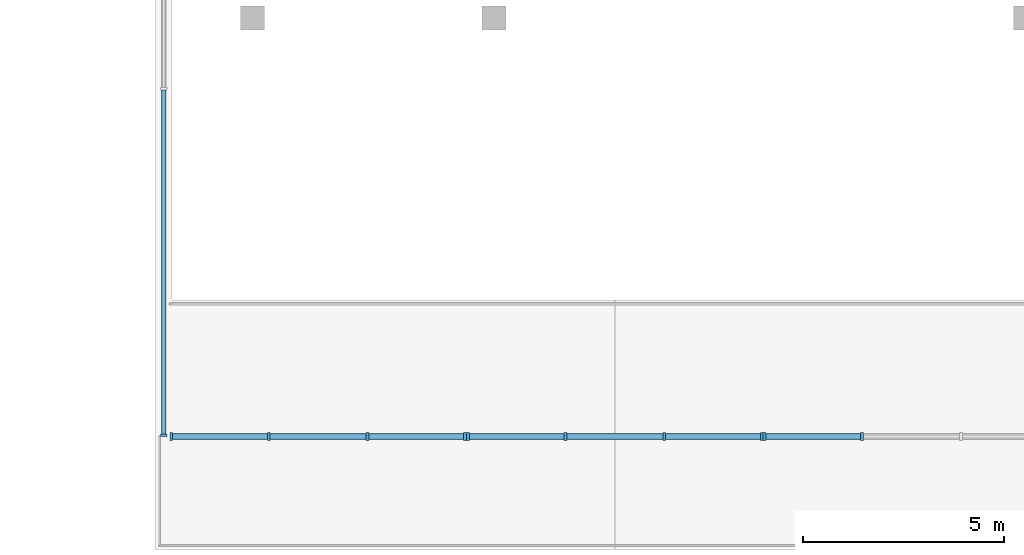
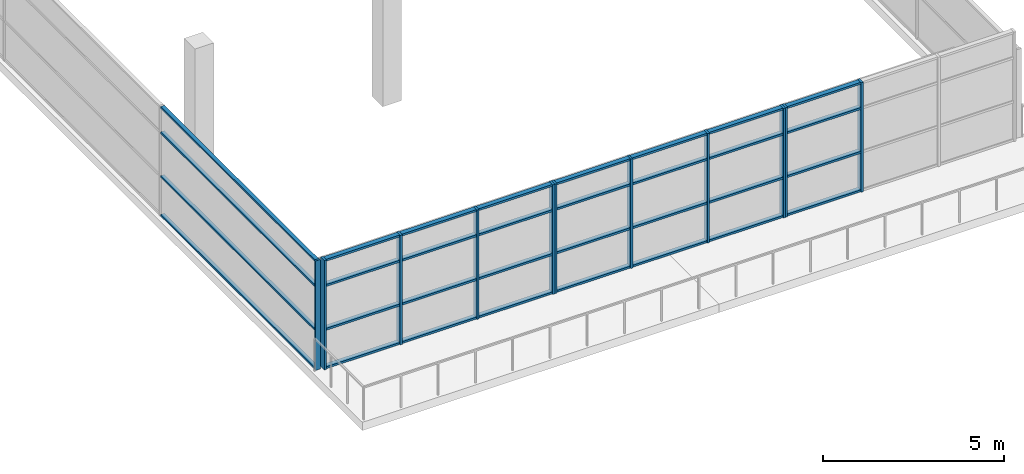
# One storey, part 14 of 87: 43 members, 4 elements without a shape of their own.
"""IFC4 building model written with IfcOpenShell, lengths in metres."""

from ifc_helpers import new_model, si_unit, direction, frame, origin, origin_2d, place, context, subcontext, project, spatial, rectangle, extrude, material, material_profile, profile_set, type_object, element, aggregate, save


model = new_model("IFC4")

# Units and contexts
model_context = context("Model", 3, precision=1e-05, world=origin(), true_north=direction((0.0, 1.0)))
body_context = subcontext(model_context, "Body", "Model", "MODEL_VIEW")
ifc_project = project(units=[si_unit("LENGTHUNIT", "METRE"), si_unit("AREAUNIT", "SQUARE_METRE"), si_unit("VOLUMEUNIT", "CUBIC_METRE"), si_unit("PLANEANGLEUNIT", "RADIAN"), si_unit("MASSUNIT", "GRAM", prefix="KILO")], contexts=[model_context])

# Site, building, storey
site_placement = place(None, origin())
site = spatial("IfcSite", under=ifc_project, at=site_placement, CompositionType="ELEMENT")
building_placement = place(site_placement, origin())
building = spatial("IfcBuilding", under=site, at=building_placement, Name="Saryqyr Civic Hall", CompositionType="ELEMENT")
storey_placement = place(building_placement, frame((0.0, 0.0, 5.10009765625)))
storey = spatial("IfcBuildingStorey", under=building, at=storey_placement, Name="L01", CompositionType="ELEMENT", Elevation=5.10009765625)

# Curtain wall, member
ifc_material_1 = material(Name="Anodised aluminium and triple low-E glass", Category="aluminium")
curtain_wall_type_1 = type_object("IfcCurtainWallType", Name="ENV-CW-STD-70", PredefinedType="NOTDEFINED", material=ifc_material_1)
curtain_wall_1_placement = place(storey_placement, origin())
curtain_wall_1 = element("IfcCurtainWall", 1, at=curtain_wall_1_placement, inside=storey, type_object=curtain_wall_type_1, Name="Curtain wall V2-VESTFLK-SW-L01", PredefinedType="NOTDEFINED")
ifc_material_2 = material(Name="Anodised aluminium", Category="aluminium")
ifc_material_profile_1 = material_profile(ifc_material_2, rectangle(XDim=0.06005859375, YDim=0.159912109375, at=origin_2d()), Name="ALU MULLION 60x160")
ifc_profile_set_1 = profile_set([ifc_material_profile_1], Name="Anodised aluminium")
member_type_1 = type_object("IfcMemberType", Name="ENV-CW-MUL-180", PredefinedType="MULLION", material=ifc_profile_set_1)
member_1_placement = place(storey_placement, frame((45.800048828125, 25.639892578125, 0.0), z_axis=(0.0, 0.0, 1.0), x_axis=(0.0, 1.0, 0.0)))
member_1 = element("IfcMember", 2, at=member_1_placement, type_object=member_type_1, Name="CW-70 mullion 1", PredefinedType="MULLION", context=body_context, shape_type="SweptSolid", body=[
    extrude(rectangle(XDim=0.06005859375, YDim=0.159912109375, at=origin_2d()), origin(), (0.0, 0.0, 1.0), 3.699951171875),
])

# Curtain wall, members
curtain_wall_type_2 = type_object("IfcCurtainWallType", Name="ENV-CW-HVY-69", PredefinedType="NOTDEFINED", material=ifc_material_1)
curtain_wall_2_placement = place(storey_placement, origin())
curtain_wall_2 = element("IfcCurtainWall", 3, at=curtain_wall_2_placement, inside=storey, type_object=curtain_wall_type_2, Name="Curtain wall V2-PORTAL-CW-S-L01-0", PredefinedType="NOTDEFINED")
ifc_material_profile_2 = material_profile(ifc_material_2, rectangle(XDim=0.070068359375, YDim=0.199951171875, at=origin_2d()), Name="ALU MULLION 70x200")
ifc_profile_set_2 = profile_set([ifc_material_profile_2], Name="Anodised aluminium")
member_type_2 = type_object("IfcMemberType", Name="ENV-CW-MUL-220", PredefinedType="MULLION", material=ifc_profile_set_2)
member_2_placement = place(storey_placement, frame((53.28173828125, 25.610107421875, 0.0), z_axis=(0.0, 0.0, 1.0), x_axis=(-1.0, 0.0, 0.0)))
member_2 = element("IfcMember", 4, at=member_2_placement, type_object=member_type_2, Name="CW-69 mullion 1", PredefinedType="MULLION", context=body_context, shape_type="SweptSolid", body=[
    extrude(rectangle(XDim=0.070068359375, YDim=0.199951171875, at=origin_2d()), origin(), (0.0, 0.0, 1.0), 3.699951171875),
])
member_3_placement = place(storey_placement, frame((50.861083984375, 25.610107421875, 0.0), z_axis=(0.0, 0.0, 1.0), x_axis=(-1.0, 0.0, 0.0)))
member_3 = element("IfcMember", 5, at=member_3_placement, type_object=member_type_2, Name="CW-69 mullion 2", PredefinedType="MULLION", context=body_context, shape_type="SweptSolid", body=[
    extrude(rectangle(XDim=0.070068359375, YDim=0.199951171875, at=origin_2d()), origin(), (0.0, 0.0, 1.0), 3.699951171875),
])
member_4_placement = place(storey_placement, frame((48.405517578125, 25.610107421875, 0.0), z_axis=(0.0, 0.0, 1.0), x_axis=(-1.0, 0.0, 0.0)))
member_4 = element("IfcMember", 6, at=member_4_placement, type_object=member_type_2, Name="CW-69 mullion 3", PredefinedType="MULLION", context=body_context, shape_type="SweptSolid", body=[
    extrude(rectangle(XDim=0.070068359375, YDim=0.199951171875, at=origin_2d()), origin(), (0.0, 0.0, 1.0), 3.699951171875),
])
member_5_placement = place(storey_placement, frame((45.985107421875, 25.610107421875, 0.0), z_axis=(0.0, 0.0, 1.0), x_axis=(-1.0, 0.0, 0.0)))
member_5 = element("IfcMember", 7, at=member_5_placement, type_object=member_type_2, Name="CW-69 mullion 4", PredefinedType="MULLION", context=body_context, shape_type="SweptSolid", body=[
    extrude(rectangle(XDim=0.070068359375, YDim=0.199951171875, at=origin_2d()), origin(), (0.0, 0.0, 1.0), 3.699951171875),
])

curtain_wall_3_placement = place(storey_placement, origin())
curtain_wall_3 = element("IfcCurtainWall", 8, at=curtain_wall_3_placement, inside=storey, type_object=curtain_wall_type_2, Name="Curtain wall V2-PORTAL-CW-S-L01-1", PredefinedType="NOTDEFINED")
member_6_placement = place(storey_placement, frame((60.648193359375, 25.610107421875, 0.0), z_axis=(0.0, 0.0, 1.0), x_axis=(-1.0, 0.0, 0.0)))
member_6 = element("IfcMember", 9, at=member_6_placement, type_object=member_type_2, Name="CW-69 mullion 1", PredefinedType="MULLION", context=body_context, shape_type="SweptSolid", body=[
    extrude(rectangle(XDim=0.070068359375, YDim=0.199951171875, at=origin_2d()), origin(), (0.0, 0.0, 1.0), 3.699951171875),
])
member_7_placement = place(storey_placement, frame((58.227783203125, 25.610107421875, 0.0), z_axis=(0.0, 0.0, 1.0), x_axis=(-1.0, 0.0, 0.0)))
member_7 = element("IfcMember", 10, at=member_7_placement, type_object=member_type_2, Name="CW-69 mullion 2", PredefinedType="MULLION", context=body_context, shape_type="SweptSolid", body=[
    extrude(rectangle(XDim=0.070068359375, YDim=0.199951171875, at=origin_2d()), origin(), (0.0, 0.0, 1.0), 3.699951171875),
])
member_8_placement = place(storey_placement, frame((55.772216796875, 25.610107421875, 0.0), z_axis=(0.0, 0.0, 1.0), x_axis=(-1.0, 0.0, 0.0)))
member_8 = element("IfcMember", 11, at=member_8_placement, type_object=member_type_2, Name="CW-69 mullion 3", PredefinedType="MULLION", context=body_context, shape_type="SweptSolid", body=[
    extrude(rectangle(XDim=0.070068359375, YDim=0.199951171875, at=origin_2d()), origin(), (0.0, 0.0, 1.0), 3.699951171875),
])
member_9_placement = place(storey_placement, frame((53.351806640625, 25.610107421875, 0.0), z_axis=(0.0, 0.0, 1.0), x_axis=(-1.0, 0.0, 0.0)))
member_9 = element("IfcMember", 12, at=member_9_placement, type_object=member_type_2, Name="CW-69 mullion 4", PredefinedType="MULLION", context=body_context, shape_type="SweptSolid", body=[
    extrude(rectangle(XDim=0.070068359375, YDim=0.199951171875, at=origin_2d()), origin(), (0.0, 0.0, 1.0), 3.699951171875),
])

curtain_wall_4_placement = place(storey_placement, origin())
curtain_wall_4 = element("IfcCurtainWall", 13, at=curtain_wall_4_placement, inside=storey, type_object=curtain_wall_type_2, Name="Curtain wall V2-PORTAL-CW-S-L01-2", PredefinedType="NOTDEFINED")
member_10_placement = place(storey_placement, frame((63.138916015625, 25.610107421875, 0.0), z_axis=(0.0, 0.0, 1.0), x_axis=(-1.0, 0.0, 0.0)))
member_10 = element("IfcMember", 14, at=member_10_placement, type_object=member_type_2, Name="CW-69 mullion 3", PredefinedType="MULLION", context=body_context, shape_type="SweptSolid", body=[
    extrude(rectangle(XDim=0.070068359375, YDim=0.199951171875, at=origin_2d()), origin(), (0.0, 0.0, 1.0), 3.699951171875),
])
member_11_placement = place(storey_placement, frame((60.71826171875, 25.610107421875, 0.0), z_axis=(0.0, 0.0, 1.0), x_axis=(-1.0, 0.0, 0.0)))
member_11 = element("IfcMember", 15, at=member_11_placement, type_object=member_type_2, Name="CW-69 mullion 4", PredefinedType="MULLION", context=body_context, shape_type="SweptSolid", body=[
    extrude(rectangle(XDim=0.070068359375, YDim=0.199951171875, at=origin_2d()), origin(), (0.0, 0.0, 1.0), 3.699951171875),
])

# Member
ifc_material_profile_3 = material_profile(ifc_material_2, rectangle(XDim=0.1201171875, YDim=0.06005859375, at=origin_2d()), Name="ALU TRANSOM 120x60")
ifc_profile_set_3 = profile_set([ifc_material_profile_3], Name="Anodised aluminium")
member_type_3 = type_object("IfcMemberType", Name="ENV-CW-TRN-150", PredefinedType="USERDEFINED", material=ifc_profile_set_3)
member_12_placement = place(storey_placement, frame((45.800048828125, 25.669921875, 0.02978515625), z_axis=(0.0, 1.0, 0.0), x_axis=(-1.0, 0.0, 0.0)))
member_12 = element("IfcMember", 16, at=member_12_placement, type_object=member_type_3, Name="CW-70 transom 1.1", ObjectType="TRANSOM", PredefinedType="USERDEFINED", context=body_context, shape_type="SweptSolid", body=[
    extrude(rectangle(XDim=0.1201171875, YDim=0.06005859375, at=origin_2d()), origin(), (0.0, 0.0, 1.0), 8.5400390625),
])

member_13_placement = place(storey_placement, frame((45.800048828125, 25.669921875, 1.331787109375), z_axis=(0.0, 1.0, 0.0), x_axis=(-1.0, 0.0, 0.0)))
member_13 = element("IfcMember", 17, at=member_13_placement, type_object=member_type_3, Name="CW-70 transom 1.2", ObjectType="TRANSOM", PredefinedType="USERDEFINED", context=body_context, shape_type="SweptSolid", body=[
    extrude(rectangle(XDim=0.1201171875, YDim=0.06005859375, at=origin_2d()), origin(), (0.0, 0.0, 1.0), 8.5400390625),
])

member_14_placement = place(storey_placement, frame((45.800048828125, 25.669921875, 2.81201171875), z_axis=(0.0, 1.0, 0.0), x_axis=(-1.0, 0.0, 0.0)))
member_14 = element("IfcMember", 18, at=member_14_placement, type_object=member_type_3, Name="CW-70 transom 1.3", ObjectType="TRANSOM", PredefinedType="USERDEFINED", context=body_context, shape_type="SweptSolid", body=[
    extrude(rectangle(XDim=0.1201171875, YDim=0.06005859375, at=origin_2d()), origin(), (0.0, 0.0, 1.0), 8.5400390625),
])

member_15_placement = place(storey_placement, frame((45.800048828125, 25.669921875, 3.669921875), z_axis=(0.0, 1.0, 0.0), x_axis=(-1.0, 0.0, 0.0)))
member_15 = element("IfcMember", 19, at=member_15_placement, type_object=member_type_3, Name="CW-70 transom 1.4", ObjectType="TRANSOM", PredefinedType="USERDEFINED", context=body_context, shape_type="SweptSolid", body=[
    extrude(rectangle(XDim=0.1201171875, YDim=0.06005859375, at=origin_2d()), origin(), (0.0, 0.0, 1.0), 8.5400390625),
])

aggregate(curtain_wall_1, [member_1, member_12, member_13, member_14, member_15])

ifc_material_profile_4 = material_profile(ifc_material_2, rectangle(XDim=0.14990234375, YDim=0.070068359375, at=origin_2d()), Name="ALU TRANSOM 150x70")
ifc_profile_set_4 = profile_set([ifc_material_profile_4], Name="Anodised aluminium")
member_type_4 = type_object("IfcMemberType", Name="ENV-CW-TRN-180", PredefinedType="USERDEFINED", material=ifc_profile_set_4)
member_16_placement = place(storey_placement, frame((53.24658203125, 25.610107421875, 0.034912109375), z_axis=(-1.0, 0.0, 0.0), x_axis=(0.0, -1.0, 0.0)))
member_16 = element("IfcMember", 20, at=member_16_placement, type_object=member_type_4, Name="CW-69 transom 1.1", ObjectType="TRANSOM", PredefinedType="USERDEFINED", context=body_context, shape_type="SweptSolid", body=[
    extrude(rectangle(XDim=0.14990234375, YDim=0.070068359375, at=origin_2d()), origin(), (0.0, 0.0, 1.0), 2.350341796875),
])

member_17_placement = place(storey_placement, frame((53.24658203125, 25.610107421875, 1.331787109375), z_axis=(-1.0, 0.0, 0.0), x_axis=(0.0, -1.0, 0.0)))
member_17 = element("IfcMember", 21, at=member_17_placement, type_object=member_type_4, Name="CW-69 transom 1.2", ObjectType="TRANSOM", PredefinedType="USERDEFINED", context=body_context, shape_type="SweptSolid", body=[
    extrude(rectangle(XDim=0.14990234375, YDim=0.070068359375, at=origin_2d()), origin(), (0.0, 0.0, 1.0), 2.350341796875),
])

member_18_placement = place(storey_placement, frame((53.24658203125, 25.610107421875, 2.81201171875), z_axis=(-1.0, 0.0, 0.0), x_axis=(0.0, -1.0, 0.0)))
member_18 = element("IfcMember", 22, at=member_18_placement, type_object=member_type_4, Name="CW-69 transom 1.3", ObjectType="TRANSOM", PredefinedType="USERDEFINED", context=body_context, shape_type="SweptSolid", body=[
    extrude(rectangle(XDim=0.14990234375, YDim=0.070068359375, at=origin_2d()), origin(), (0.0, 0.0, 1.0), 2.350341796875),
])

member_19_placement = place(storey_placement, frame((53.24658203125, 25.610107421875, 3.664794921875), z_axis=(-1.0, 0.0, 0.0), x_axis=(0.0, -1.0, 0.0)))
member_19 = element("IfcMember", 23, at=member_19_placement, type_object=member_type_4, Name="CW-69 transom 1.4", ObjectType="TRANSOM", PredefinedType="USERDEFINED", context=body_context, shape_type="SweptSolid", body=[
    extrude(rectangle(XDim=0.14990234375, YDim=0.070068359375, at=origin_2d()), origin(), (0.0, 0.0, 1.0), 2.350341796875),
])

member_20_placement = place(storey_placement, frame((50.826171875, 25.610107421875, 0.034912109375), z_axis=(-1.0, 0.0, 0.0), x_axis=(0.0, -1.0, 0.0)))
member_20 = element("IfcMember", 24, at=member_20_placement, type_object=member_type_4, Name="CW-69 transom 2.1", ObjectType="TRANSOM", PredefinedType="USERDEFINED", context=body_context, shape_type="SweptSolid", body=[
    extrude(rectangle(XDim=0.14990234375, YDim=0.070068359375, at=origin_2d()), origin(), (0.0, 0.0, 1.0), 2.385498046875),
])

member_21_placement = place(storey_placement, frame((50.826171875, 25.610107421875, 1.331787109375), z_axis=(-1.0, 0.0, 0.0), x_axis=(0.0, -1.0, 0.0)))
member_21 = element("IfcMember", 25, at=member_21_placement, type_object=member_type_4, Name="CW-69 transom 2.2", ObjectType="TRANSOM", PredefinedType="USERDEFINED", context=body_context, shape_type="SweptSolid", body=[
    extrude(rectangle(XDim=0.14990234375, YDim=0.070068359375, at=origin_2d()), origin(), (0.0, 0.0, 1.0), 2.385498046875),
])

member_22_placement = place(storey_placement, frame((50.826171875, 25.610107421875, 2.81201171875), z_axis=(-1.0, 0.0, 0.0), x_axis=(0.0, -1.0, 0.0)))
member_22 = element("IfcMember", 26, at=member_22_placement, type_object=member_type_4, Name="CW-69 transom 2.3", ObjectType="TRANSOM", PredefinedType="USERDEFINED", context=body_context, shape_type="SweptSolid", body=[
    extrude(rectangle(XDim=0.14990234375, YDim=0.070068359375, at=origin_2d()), origin(), (0.0, 0.0, 1.0), 2.385498046875),
])

member_23_placement = place(storey_placement, frame((50.826171875, 25.610107421875, 3.664794921875), z_axis=(-1.0, 0.0, 0.0), x_axis=(0.0, -1.0, 0.0)))
member_23 = element("IfcMember", 27, at=member_23_placement, type_object=member_type_4, Name="CW-69 transom 2.4", ObjectType="TRANSOM", PredefinedType="USERDEFINED", context=body_context, shape_type="SweptSolid", body=[
    extrude(rectangle(XDim=0.14990234375, YDim=0.070068359375, at=origin_2d()), origin(), (0.0, 0.0, 1.0), 2.385498046875),
])

member_24_placement = place(storey_placement, frame((48.37060546875, 25.610107421875, 0.034912109375), z_axis=(-1.0, 0.0, 0.0), x_axis=(0.0, -1.0, 0.0)))
member_24 = element("IfcMember", 28, at=member_24_placement, type_object=member_type_4, Name="CW-69 transom 3.1", ObjectType="TRANSOM", PredefinedType="USERDEFINED", context=body_context, shape_type="SweptSolid", body=[
    extrude(rectangle(XDim=0.14990234375, YDim=0.070068359375, at=origin_2d()), origin(), (0.0, 0.0, 1.0), 2.3505859375),
])

member_25_placement = place(storey_placement, frame((48.37060546875, 25.610107421875, 1.331787109375), z_axis=(-1.0, 0.0, 0.0), x_axis=(0.0, -1.0, 0.0)))
member_25 = element("IfcMember", 29, at=member_25_placement, type_object=member_type_4, Name="CW-69 transom 3.2", ObjectType="TRANSOM", PredefinedType="USERDEFINED", context=body_context, shape_type="SweptSolid", body=[
    extrude(rectangle(XDim=0.14990234375, YDim=0.070068359375, at=origin_2d()), origin(), (0.0, 0.0, 1.0), 2.3505859375),
])

member_26_placement = place(storey_placement, frame((48.37060546875, 25.610107421875, 2.81201171875), z_axis=(-1.0, 0.0, 0.0), x_axis=(0.0, -1.0, 0.0)))
member_26 = element("IfcMember", 30, at=member_26_placement, type_object=member_type_4, Name="CW-69 transom 3.3", ObjectType="TRANSOM", PredefinedType="USERDEFINED", context=body_context, shape_type="SweptSolid", body=[
    extrude(rectangle(XDim=0.14990234375, YDim=0.070068359375, at=origin_2d()), origin(), (0.0, 0.0, 1.0), 2.3505859375),
])

member_27_placement = place(storey_placement, frame((48.37060546875, 25.610107421875, 3.664794921875), z_axis=(-1.0, 0.0, 0.0), x_axis=(0.0, -1.0, 0.0)))
member_27 = element("IfcMember", 31, at=member_27_placement, type_object=member_type_4, Name="CW-69 transom 3.4", ObjectType="TRANSOM", PredefinedType="USERDEFINED", context=body_context, shape_type="SweptSolid", body=[
    extrude(rectangle(XDim=0.14990234375, YDim=0.070068359375, at=origin_2d()), origin(), (0.0, 0.0, 1.0), 2.3505859375),
])

aggregate(curtain_wall_2, [member_2, member_3, member_4, member_5, member_16, member_17, member_18, member_19, member_20, member_21, member_22, member_23, member_24, member_25, member_26, member_27])

member_28_placement = place(storey_placement, frame((60.61328125, 25.610107421875, 0.034912109375), z_axis=(-1.0, 0.0, 0.0), x_axis=(0.0, -1.0, 0.0)))
member_28 = element("IfcMember", 32, at=member_28_placement, type_object=member_type_4, Name="CW-69 transom 1.1", ObjectType="TRANSOM", PredefinedType="USERDEFINED", context=body_context, shape_type="SweptSolid", body=[
    extrude(rectangle(XDim=0.14990234375, YDim=0.070068359375, at=origin_2d()), origin(), (0.0, 0.0, 1.0), 2.3505859375),
])

member_29_placement = place(storey_placement, frame((60.61328125, 25.610107421875, 1.331787109375), z_axis=(-1.0, 0.0, 0.0), x_axis=(0.0, -1.0, 0.0)))
member_29 = element("IfcMember", 33, at=member_29_placement, type_object=member_type_4, Name="CW-69 transom 1.2", ObjectType="TRANSOM", PredefinedType="USERDEFINED", context=body_context, shape_type="SweptSolid", body=[
    extrude(rectangle(XDim=0.14990234375, YDim=0.070068359375, at=origin_2d()), origin(), (0.0, 0.0, 1.0), 2.3505859375),
])

member_30_placement = place(storey_placement, frame((60.61328125, 25.610107421875, 2.81201171875), z_axis=(-1.0, 0.0, 0.0), x_axis=(0.0, -1.0, 0.0)))
member_30 = element("IfcMember", 34, at=member_30_placement, type_object=member_type_4, Name="CW-69 transom 1.3", ObjectType="TRANSOM", PredefinedType="USERDEFINED", context=body_context, shape_type="SweptSolid", body=[
    extrude(rectangle(XDim=0.14990234375, YDim=0.070068359375, at=origin_2d()), origin(), (0.0, 0.0, 1.0), 2.3505859375),
])

member_31_placement = place(storey_placement, frame((60.61328125, 25.610107421875, 3.664794921875), z_axis=(-1.0, 0.0, 0.0), x_axis=(0.0, -1.0, 0.0)))
member_31 = element("IfcMember", 35, at=member_31_placement, type_object=member_type_4, Name="CW-69 transom 1.4", ObjectType="TRANSOM", PredefinedType="USERDEFINED", context=body_context, shape_type="SweptSolid", body=[
    extrude(rectangle(XDim=0.14990234375, YDim=0.070068359375, at=origin_2d()), origin(), (0.0, 0.0, 1.0), 2.3505859375),
])

member_32_placement = place(storey_placement, frame((58.19287109375, 25.610107421875, 0.034912109375), z_axis=(-1.0, 0.0, 0.0), x_axis=(0.0, -1.0, 0.0)))
member_32 = element("IfcMember", 36, at=member_32_placement, type_object=member_type_4, Name="CW-69 transom 2.1", ObjectType="TRANSOM", PredefinedType="USERDEFINED", context=body_context, shape_type="SweptSolid", body=[
    extrude(rectangle(XDim=0.14990234375, YDim=0.070068359375, at=origin_2d()), origin(), (0.0, 0.0, 1.0), 2.3857421875),
])

member_33_placement = place(storey_placement, frame((58.19287109375, 25.610107421875, 1.331787109375), z_axis=(-1.0, 0.0, 0.0), x_axis=(0.0, -1.0, 0.0)))
member_33 = element("IfcMember", 37, at=member_33_placement, type_object=member_type_4, Name="CW-69 transom 2.2", ObjectType="TRANSOM", PredefinedType="USERDEFINED", context=body_context, shape_type="SweptSolid", body=[
    extrude(rectangle(XDim=0.14990234375, YDim=0.070068359375, at=origin_2d()), origin(), (0.0, 0.0, 1.0), 2.3857421875),
])

member_34_placement = place(storey_placement, frame((58.19287109375, 25.610107421875, 2.81201171875), z_axis=(-1.0, 0.0, 0.0), x_axis=(0.0, -1.0, 0.0)))
member_34 = element("IfcMember", 38, at=member_34_placement, type_object=member_type_4, Name="CW-69 transom 2.3", ObjectType="TRANSOM", PredefinedType="USERDEFINED", context=body_context, shape_type="SweptSolid", body=[
    extrude(rectangle(XDim=0.14990234375, YDim=0.070068359375, at=origin_2d()), origin(), (0.0, 0.0, 1.0), 2.3857421875),
])

member_35_placement = place(storey_placement, frame((58.19287109375, 25.610107421875, 3.664794921875), z_axis=(-1.0, 0.0, 0.0), x_axis=(0.0, -1.0, 0.0)))
member_35 = element("IfcMember", 39, at=member_35_placement, type_object=member_type_4, Name="CW-69 transom 2.4", ObjectType="TRANSOM", PredefinedType="USERDEFINED", context=body_context, shape_type="SweptSolid", body=[
    extrude(rectangle(XDim=0.14990234375, YDim=0.070068359375, at=origin_2d()), origin(), (0.0, 0.0, 1.0), 2.3857421875),
])

member_36_placement = place(storey_placement, frame((55.7373046875, 25.610107421875, 0.034912109375), z_axis=(-1.0, 0.0, 0.0), x_axis=(0.0, -1.0, 0.0)))
member_36 = element("IfcMember", 40, at=member_36_placement, type_object=member_type_4, Name="CW-69 transom 3.1", ObjectType="TRANSOM", PredefinedType="USERDEFINED", context=body_context, shape_type="SweptSolid", body=[
    extrude(rectangle(XDim=0.14990234375, YDim=0.070068359375, at=origin_2d()), origin(), (0.0, 0.0, 1.0), 2.3505859375),
])

member_37_placement = place(storey_placement, frame((55.7373046875, 25.610107421875, 1.331787109375), z_axis=(-1.0, 0.0, 0.0), x_axis=(0.0, -1.0, 0.0)))
member_37 = element("IfcMember", 41, at=member_37_placement, type_object=member_type_4, Name="CW-69 transom 3.2", ObjectType="TRANSOM", PredefinedType="USERDEFINED", context=body_context, shape_type="SweptSolid", body=[
    extrude(rectangle(XDim=0.14990234375, YDim=0.070068359375, at=origin_2d()), origin(), (0.0, 0.0, 1.0), 2.3505859375),
])

member_38_placement = place(storey_placement, frame((55.7373046875, 25.610107421875, 2.81201171875), z_axis=(-1.0, 0.0, 0.0), x_axis=(0.0, -1.0, 0.0)))
member_38 = element("IfcMember", 42, at=member_38_placement, type_object=member_type_4, Name="CW-69 transom 3.3", ObjectType="TRANSOM", PredefinedType="USERDEFINED", context=body_context, shape_type="SweptSolid", body=[
    extrude(rectangle(XDim=0.14990234375, YDim=0.070068359375, at=origin_2d()), origin(), (0.0, 0.0, 1.0), 2.3505859375),
])

member_39_placement = place(storey_placement, frame((55.7373046875, 25.610107421875, 3.664794921875), z_axis=(-1.0, 0.0, 0.0), x_axis=(0.0, -1.0, 0.0)))
member_39 = element("IfcMember", 43, at=member_39_placement, type_object=member_type_4, Name="CW-69 transom 3.4", ObjectType="TRANSOM", PredefinedType="USERDEFINED", context=body_context, shape_type="SweptSolid", body=[
    extrude(rectangle(XDim=0.14990234375, YDim=0.070068359375, at=origin_2d()), origin(), (0.0, 0.0, 1.0), 2.3505859375),
])

aggregate(curtain_wall_3, [member_6, member_7, member_8, member_9, member_28, member_29, member_30, member_31, member_32, member_33, member_34, member_35, member_36, member_37, member_38, member_39])

member_40_placement = place(storey_placement, frame((63.103759765625, 25.610107421875, 0.034912109375), z_axis=(-1.0, 0.0, 0.0), x_axis=(0.0, -1.0, 0.0)))
member_40 = element("IfcMember", 44, at=member_40_placement, type_object=member_type_4, Name="CW-69 transom 3.1", ObjectType="TRANSOM", PredefinedType="USERDEFINED", context=body_context, shape_type="SweptSolid", body=[
    extrude(rectangle(XDim=0.14990234375, YDim=0.070068359375, at=origin_2d()), origin(), (0.0, 0.0, 1.0), 2.350341796875),
])

member_41_placement = place(storey_placement, frame((63.103759765625, 25.610107421875, 1.331787109375), z_axis=(-1.0, 0.0, 0.0), x_axis=(0.0, -1.0, 0.0)))
member_41 = element("IfcMember", 45, at=member_41_placement, type_object=member_type_4, Name="CW-69 transom 3.2", ObjectType="TRANSOM", PredefinedType="USERDEFINED", context=body_context, shape_type="SweptSolid", body=[
    extrude(rectangle(XDim=0.14990234375, YDim=0.070068359375, at=origin_2d()), origin(), (0.0, 0.0, 1.0), 2.350341796875),
])

member_42_placement = place(storey_placement, frame((63.103759765625, 25.610107421875, 2.81201171875), z_axis=(-1.0, 0.0, 0.0), x_axis=(0.0, -1.0, 0.0)))
member_42 = element("IfcMember", 46, at=member_42_placement, type_object=member_type_4, Name="CW-69 transom 3.3", ObjectType="TRANSOM", PredefinedType="USERDEFINED", context=body_context, shape_type="SweptSolid", body=[
    extrude(rectangle(XDim=0.14990234375, YDim=0.070068359375, at=origin_2d()), origin(), (0.0, 0.0, 1.0), 2.350341796875),
])

member_43_placement = place(storey_placement, frame((63.103759765625, 25.610107421875, 3.664794921875), z_axis=(-1.0, 0.0, 0.0), x_axis=(0.0, -1.0, 0.0)))
member_43 = element("IfcMember", 47, at=member_43_placement, type_object=member_type_4, Name="CW-69 transom 3.4", ObjectType="TRANSOM", PredefinedType="USERDEFINED", context=body_context, shape_type="SweptSolid", body=[
    extrude(rectangle(XDim=0.14990234375, YDim=0.070068359375, at=origin_2d()), origin(), (0.0, 0.0, 1.0), 2.350341796875),
])

aggregate(curtain_wall_4, [member_10, member_11, member_40, member_41, member_42, member_43])

save(model, "model.ifc")
